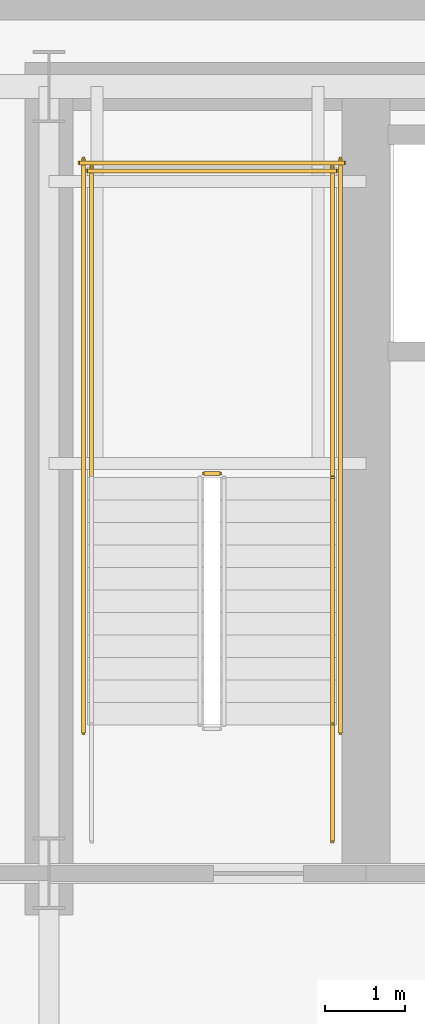
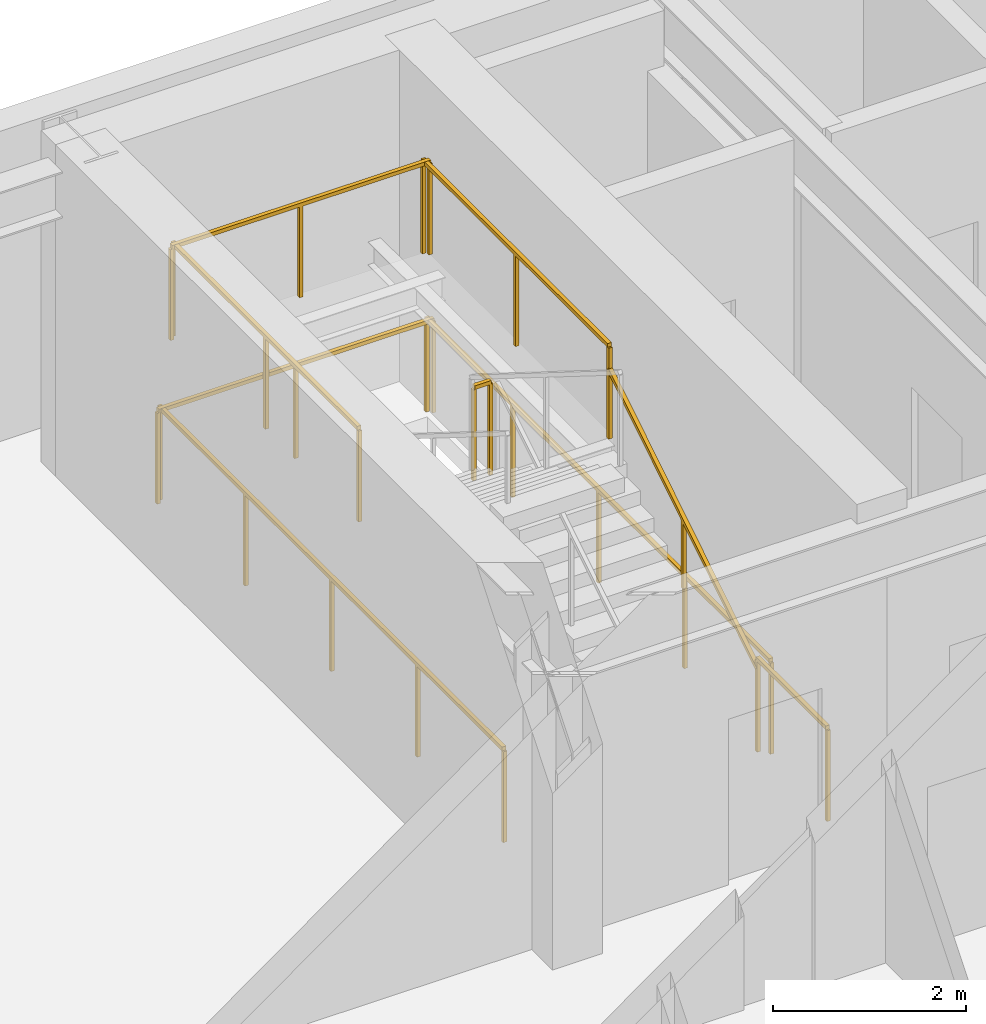
# One storey, part 12 of 15: 9 railings.
"""IFC4 building model written with IfcOpenShell, lengths in metres."""

from ifc_helpers import new_model, si_unit, direction, frame, origin, origin_2d, place, context, subcontext, project, spatial, rectangle, extrude, material, type_object, element, save


model = new_model("IFC4")

# Units and contexts
model_context = context("Model", 3, precision=1e-05, world=origin(), true_north=direction((0.0, 1.0)))
body_context = subcontext(model_context, "Body", "Model", "MODEL_VIEW")
ifc_project = project(units=[si_unit("LENGTHUNIT", "METRE"), si_unit("AREAUNIT", "SQUARE_METRE"), si_unit("VOLUMEUNIT", "CUBIC_METRE"), si_unit("PLANEANGLEUNIT", "RADIAN"), si_unit("MASSUNIT", "GRAM", prefix="KILO")], contexts=[model_context])

# Site, building, storey
site_placement = place(None, origin())
site = spatial("IfcSite", under=ifc_project, at=site_placement, CompositionType="ELEMENT")
building_placement = place(site_placement, origin())
building = spatial("IfcBuilding", under=site, at=building_placement, Name="Haevon Station Towers", CompositionType="ELEMENT")
storey_placement = place(building_placement, frame((0.0, 0.0, 73.5)))
storey = spatial("IfcBuildingStorey", under=building, at=storey_placement, Name="L19", CompositionType="ELEMENT", Elevation=73.5)

# Railings
ifc_material = material(Name="Steel S355", Category="steel")
railing_type_1 = type_object("IfcRailingType", Name="GRD-STR1200", PredefinedType="GUARDRAIL", material=ifc_material)
railing_1_placement = place(storey_placement, frame((26.1298828125, 43.179931640625, 2.10009765625)))
element("IfcRailing", 1, at=railing_1_placement, inside=storey, type_object=railing_type_1, Name="L19 ST1 Stair Guard 2", PredefinedType="GUARDRAIL", context=body_context, shape_type="SweptSolid", body=[
    extrude(rectangle(XDim=0.048095703125, YDim=0.048095703125, at=origin_2d()), frame((0.0, 0.0, 1.17578125), z_axis=(-1.0, 0.0, 0.0), x_axis=(0.0, -1.0, 0.0)), (0.0, 0.0, 1.0), 0.199951171875),
    extrude(rectangle(XDim=0.0419921875, YDim=0.0419921875, at=origin_2d()), origin(), (0.0, 0.0, 1.0), 1.15185546875),
    extrude(rectangle(XDim=0.0419921875, YDim=0.0419921875, at=origin_2d()), frame((-0.199951171875, 0.0, 0.0)), (0.0, 0.0, 1.0), 1.15185546875),
])
for number, where, name in (
    (2, (27.530029296875, 43.1298828125, 2.10009765625), "L19 ST1 Stair Guard 3"),
    (3, (24.530029296875, 43.1298828125, 2.10009765625), "L19 ST1 Stair Guard 4"),
):
    element("IfcRailing", number, at=place(storey_placement, frame(where)), inside=storey, type_object=railing_type_1, Name=name, PredefinedType="GUARDRAIL", context=body_context, shape_type="SweptSolid", body=[
        extrude(rectangle(XDim=0.048095703125, YDim=0.048095703125, at=origin_2d()), frame((0.0, 0.0, 1.17578125), z_axis=(0.0, 1.0, 0.0), x_axis=(-1.0, 0.0, 0.0)), (0.0, 0.0, 1.0), 3.8701171875),
        extrude(rectangle(XDim=0.0419921875, YDim=0.0419921875, at=origin_2d()), origin(), (0.0, 0.0, 1.0), 1.15185546875),
        extrude(rectangle(XDim=0.0419921875, YDim=0.0419921875, at=origin_2d()), frame((0.0, 1.93505859375, 0.0)), (0.0, 0.0, 1.0), 1.15185546875),
        extrude(rectangle(XDim=0.0419921875, YDim=0.0419921875, at=origin_2d()), frame((0.0, 3.8701171875, 0.0)), (0.0, 0.0, 1.0), 1.15185546875),
    ])
railing_2_placement = place(storey_placement, frame((27.580078125, 46.949951171875, 2.10009765625)))
element("IfcRailing", 4, at=railing_2_placement, inside=storey, type_object=railing_type_1, Name="L19 ST1 Stair Guard 5", PredefinedType="GUARDRAIL", context=body_context, shape_type="SweptSolid", body=[
    extrude(rectangle(XDim=0.048095703125, YDim=0.048095703125, at=origin_2d()), frame((0.0, 0.0, 1.17578125), z_axis=(-1.0, 0.0, 0.0), x_axis=(0.0, -1.0, 0.0)), (0.0, 0.0, 1.0), 3.10009765625),
    extrude(rectangle(XDim=0.0419921875, YDim=0.0419921875, at=origin_2d()), origin(), (0.0, 0.0, 1.0), 1.15185546875),
    extrude(rectangle(XDim=0.0419921875, YDim=0.0419921875, at=origin_2d()), frame((-1.550048828125, 0.0, 0.0)), (0.0, 0.0, 1.0), 1.15185546875),
    extrude(rectangle(XDim=0.0419921875, YDim=0.0419921875, at=origin_2d()), frame((-3.10009765625, 0.0, 0.0)), (0.0, 0.0, 1.0), 1.15185546875),
])
railing_3_placement = place(storey_placement, frame((27.530029296875, 38.60009765625, 0.0)))
element("IfcRailing", 5, at=railing_3_placement, inside=storey, type_object=railing_type_1, Name="L19 ST1 Stair Guard 8", PredefinedType="GUARDRAIL", context=body_context, shape_type="SweptSolid", body=[
    extrude(rectangle(XDim=0.048095703125, YDim=0.048095703125, at=origin_2d()), frame((0.0, 0.0, 1.17578125), z_axis=(0.0, 1.0, 0.0), x_axis=(-1.0, 0.0, 0.0)), (0.0, 0.0, 1.0), 1.449951171875),
    extrude(rectangle(XDim=0.0419921875, YDim=0.0419921875, at=origin_2d()), origin(), (0.0, 0.0, 1.0), 1.15185546875),
    extrude(rectangle(XDim=0.0419921875, YDim=0.0419921875, at=origin_2d()), frame((0.0, 1.449951171875, 0.0)), (0.0, 0.0, 1.0), 1.15185546875),
])
for number, where, name in (
    (6, (27.6298828125, 39.949951171875, 0.0), "L19 ST1 Stair Guard 10"),
    (7, (24.429931640625, 39.949951171875, 0.0), "L19 ST1 Stair Guard 11"),
):
    element("IfcRailing", number, at=place(storey_placement, frame(where)), inside=storey, type_object=railing_type_1, Name=name, PredefinedType="GUARDRAIL", context=body_context, shape_type="SweptSolid", body=[
        extrude(rectangle(XDim=0.048095703125, YDim=0.048095703125, at=origin_2d()), frame((0.0, 0.0, 1.17578125), z_axis=(0.0, 1.0, 0.0), x_axis=(-1.0, 0.0, 0.0)), (0.0, 0.0, 1.0), 7.150146484375),
        extrude(rectangle(XDim=0.0419921875, YDim=0.0419921875, at=origin_2d()), origin(), (0.0, 0.0, 1.0), 1.15185546875),
        extrude(rectangle(XDim=0.0419921875, YDim=0.0419921875, at=origin_2d()), frame((0.0, 1.78759765625, 0.0)), (0.0, 0.0, 1.0), 1.15185546875),
        extrude(rectangle(XDim=0.0419921875, YDim=0.0419921875, at=origin_2d()), frame((0.0, 3.5751953125, 0.0)), (0.0, 0.0, 1.0), 1.15185546875),
        extrude(rectangle(XDim=0.0419921875, YDim=0.0419921875, at=origin_2d()), frame((0.0, 5.362548828125, 0.0)), (0.0, 0.0, 1.0), 1.15185546875),
        extrude(rectangle(XDim=0.0419921875, YDim=0.0419921875, at=origin_2d()), frame((0.0, 7.150146484375, 0.0)), (0.0, 0.0, 1.0), 1.15185546875),
    ])
railing_4_placement = place(storey_placement, frame((27.679931640625, 47.050048828125, 0.0)))
element("IfcRailing", 8, at=railing_4_placement, inside=storey, type_object=railing_type_1, Name="L19 ST1 Stair Guard 12", PredefinedType="GUARDRAIL", context=body_context, shape_type="SweptSolid", body=[
    extrude(rectangle(XDim=0.048095703125, YDim=0.048095703125, at=origin_2d()), frame((0.0, 0.0, 1.17578125), z_axis=(-1.0, 0.0, 0.0), x_axis=(0.0, -1.0, 0.0)), (0.0, 0.0, 1.0), 3.300048828125),
    extrude(rectangle(XDim=0.0419921875, YDim=0.0419921875, at=origin_2d()), origin(), (0.0, 0.0, 1.0), 1.15185546875),
    extrude(rectangle(XDim=0.0419921875, YDim=0.0419921875, at=origin_2d()), frame((-1.64990234375, 0.0, 0.0)), (0.0, 0.0, 1.0), 1.15185546875),
    extrude(rectangle(XDim=0.0419921875, YDim=0.0419921875, at=origin_2d()), frame((-3.300048828125, 0.0, 0.0)), (0.0, 0.0, 1.0), 1.15185546875),
])
railing_type_2 = type_object("IfcRailingType", Name="HND-STR900", PredefinedType="HANDRAIL", material=ifc_material)
railing_5_placement = place(storey_placement, frame((27.530029296875, 40.050048828125, 0.175048828125)))
element("IfcRailing", 9, at=railing_5_placement, inside=storey, type_object=railing_type_2, Name="L19 ST1 Stair Handrail 1", PredefinedType="HANDRAIL", context=body_context, shape_type="SweptSolid", body=[
    extrude(rectangle(XDim=0.048095703125, YDim=0.048095703125, at=origin_2d()), frame((0.0, 0.0, 0.8759765625), z_axis=(0.0, 0.847979421464, 0.530029150871), x_axis=(-1.0, 0.0, 0.0)), (0.0, 0.0, 1.0), 3.632080078125),
    extrude(rectangle(XDim=0.0419921875, YDim=0.0419921875, at=origin_2d()), origin(), (0.0, 0.0, 1.0), 0.851806640625),
    extrude(rectangle(XDim=0.0419921875, YDim=0.0419921875, at=origin_2d()), frame((0.0, 1.5400390625, 0.96240234375)), (0.0, 0.0, 1.0), 0.851806640625),
    extrude(rectangle(XDim=0.0419921875, YDim=0.0419921875, at=origin_2d()), frame((0.0, 3.079833984375, 1.925048828125)), (0.0, 0.0, 1.0), 0.851806640625),
])

save(model, "model.ifc")
